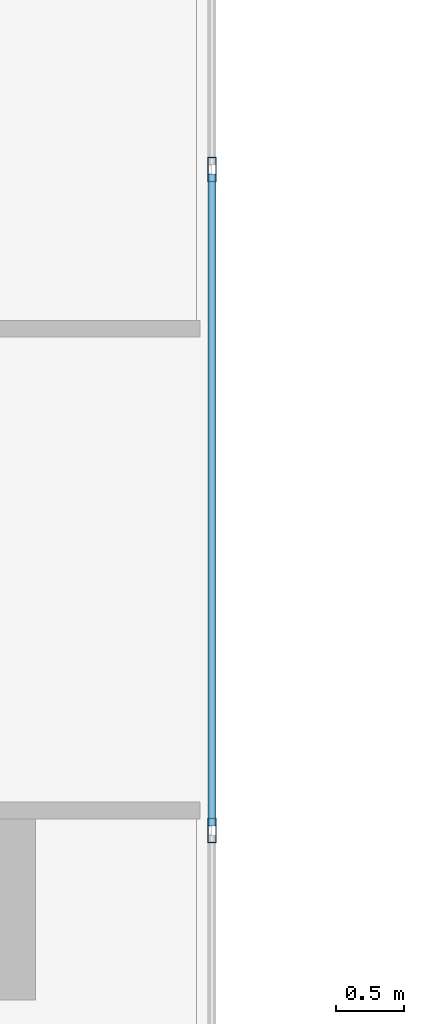
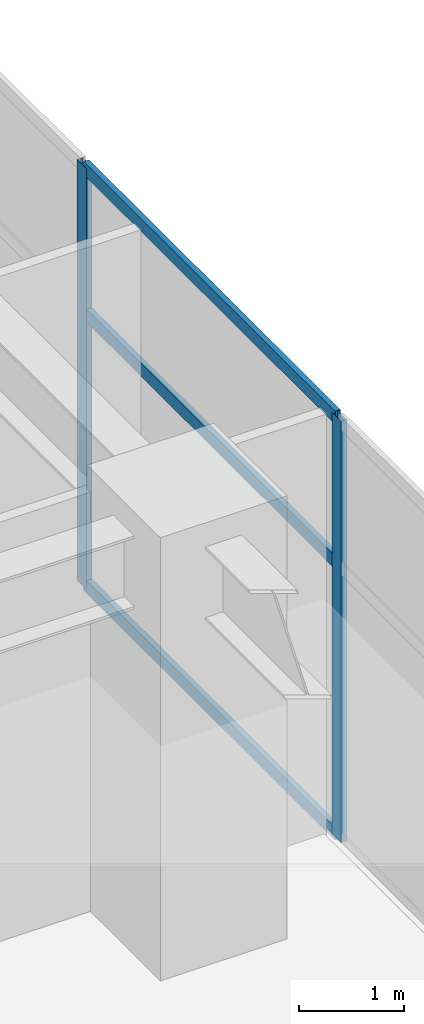
# One storey, part 10 of 22: 5 members, 1 element without a shape of its own.
"""IFC4 building model written with IfcOpenShell, lengths in metres."""

from ifc_helpers import new_model, si_unit, direction, frame, origin, origin_2d, place, context, subcontext, project, spatial, hollow_rectangle, extrude, material, layer, layer_set, material_profile, profile_set, type_object, element, aggregate, save


model = new_model("IFC4")

# Units and contexts
model_context = context("Model", 3, precision=1e-05, world=origin(), true_north=direction((0.0, 1.0)))
body_context = subcontext(model_context, "Body", "Model", "MODEL_VIEW")
ifc_project = project(units=[si_unit("LENGTHUNIT", "METRE"), si_unit("AREAUNIT", "SQUARE_METRE"), si_unit("VOLUMEUNIT", "CUBIC_METRE"), si_unit("PLANEANGLEUNIT", "RADIAN"), si_unit("MASSUNIT", "GRAM", prefix="KILO")], contexts=[model_context])

# Site, building, storey
site_placement = place(None, origin())
site = spatial("IfcSite", under=ifc_project, at=site_placement, CompositionType="ELEMENT")
building_placement = place(site_placement, origin())
building = spatial("IfcBuilding", under=site, at=building_placement, Name="Mawjaban Terraces University", CompositionType="ELEMENT")
storey_placement = place(building_placement, frame((0.0, 0.0, 5.199951171875)))
storey = spatial("IfcBuildingStorey", under=building, at=storey_placement, Name="L01", CompositionType="ELEMENT", Elevation=5.199951171875)

# Curtain wall, members
ifc_material_1 = material(Name="Anodised aluminium 6063-T6 and solar-control low-E glass", Category="aluminium")
ifc_layer = layer(ifc_material_1, 0.179931640625)
ifc_layer_set = layer_set([ifc_layer], Name="Anodised aluminium 6063-T6 and solar-control low-E glass")
curtain_wall_type = type_object("IfcCurtainWallType", Name="CWSystem_01_PlazaFoyer", PredefinedType="NOTDEFINED", material=ifc_layer_set)
curtain_wall_placement = place(storey_placement, origin())
curtain_wall = element("IfcCurtainWall", 1, at=curtain_wall_placement, inside=storey, type_object=curtain_wall_type, Name="L01 Curtain Wall CW-01 Run 6.1", PredefinedType="NOTDEFINED")
ifc_material_2 = material(Name="Anodised aluminium 6063-T6", Category="aluminium")
ifc_material_profile_1 = material_profile(ifc_material_2, hollow_rectangle(XDim=0.06494140625, YDim=0.179931640625, WallThickness=0.00390625, at=origin_2d()), Name="ALU180X65X4")
ifc_profile_set_1 = profile_set([ifc_material_profile_1], Name="Anodised aluminium 6063-T6")
member_type_1 = type_object("IfcMemberType", Name="Mullion_CW-01", PredefinedType="MULLION", material=ifc_profile_set_1)
member_1_placement = place(storey_placement, frame((54.0, 41.75, 0.0), z_axis=(0.0, 0.0, 1.0), x_axis=(-1.0, 0.0, 0.0)))
member_1 = element("IfcMember", 2, at=member_1_placement, type_object=member_type_1, Name="CW-01 mullion 3", PredefinedType="MULLION", context=body_context, shape_type="SweptSolid", body=[
    extrude(hollow_rectangle(XDim=0.06494140625, YDim=0.179931640625, WallThickness=0.00390625, at=origin_2d()), origin(), (0.0, 0.0, 1.0), 4.920166015625),
])
member_2_placement = place(storey_placement, frame((54.0, 46.625, 0.0), z_axis=(0.0, 0.0, 1.0), x_axis=(-1.0, 0.0, 0.0)))
member_2 = element("IfcMember", 3, at=member_2_placement, type_object=member_type_1, Name="CW-01 mullion 4", PredefinedType="MULLION", context=body_context, shape_type="SweptSolid", body=[
    extrude(hollow_rectangle(XDim=0.06494140625, YDim=0.179931640625, WallThickness=0.00390625, at=origin_2d()), origin(), (0.0, 0.0, 1.0), 4.920166015625),
])
ifc_material_profile_2 = material_profile(ifc_material_2, hollow_rectangle(XDim=0.06005859375, YDim=0.14990234375, WallThickness=0.00390625, at=origin_2d()), Name="ALU150X60X4")
ifc_profile_set_2 = profile_set([ifc_material_profile_2], Name="Anodised aluminium 6063-T6")
member_type_2 = type_object("IfcMemberType", Name="Transom_CW-01", PredefinedType="NOTDEFINED", material=ifc_profile_set_2)
member_3_placement = place(storey_placement, frame((54.0, 41.782470703125, 0.030029296875), z_axis=(0.0, 1.0, 0.0), x_axis=(-1.0, 0.0, 0.0)))
member_3 = element("IfcMember", 4, at=member_3_placement, type_object=member_type_2, Name="CW-01 transom 3.1", ObjectType="TRANSOM", PredefinedType="USERDEFINED", context=body_context, shape_type="SweptSolid", body=[
    extrude(hollow_rectangle(XDim=0.06005859375, YDim=0.14990234375, WallThickness=0.00390625, at=origin_2d()), origin(), (0.0, 0.0, 1.0), 4.81005859375),
])
member_4_placement = place(storey_placement, frame((54.0, 41.782470703125, 3.197998046875), z_axis=(0.0, 1.0, 0.0), x_axis=(-1.0, 0.0, 0.0)))
member_4 = element("IfcMember", 5, at=member_4_placement, type_object=member_type_2, Name="CW-01 transom 3.2", ObjectType="TRANSOM", PredefinedType="USERDEFINED", context=body_context, shape_type="SweptSolid", body=[
    extrude(hollow_rectangle(XDim=0.06005859375, YDim=0.14990234375, WallThickness=0.00390625, at=origin_2d()), origin(), (0.0, 0.0, 1.0), 4.81005859375),
])
member_5_placement = place(storey_placement, frame((54.0, 41.782470703125, 4.89013671875), z_axis=(0.0, 1.0, 0.0), x_axis=(-1.0, 0.0, 0.0)))
member_5 = element("IfcMember", 6, at=member_5_placement, type_object=member_type_2, Name="CW-01 transom 3.3", ObjectType="TRANSOM", PredefinedType="USERDEFINED", context=body_context, shape_type="SweptSolid", body=[
    extrude(hollow_rectangle(XDim=0.06005859375, YDim=0.14990234375, WallThickness=0.00390625, at=origin_2d()), origin(), (0.0, 0.0, 1.0), 4.81005859375),
])
aggregate(curtain_wall, [member_1, member_2, member_3, member_4, member_5])

save(model, "model.ifc")
